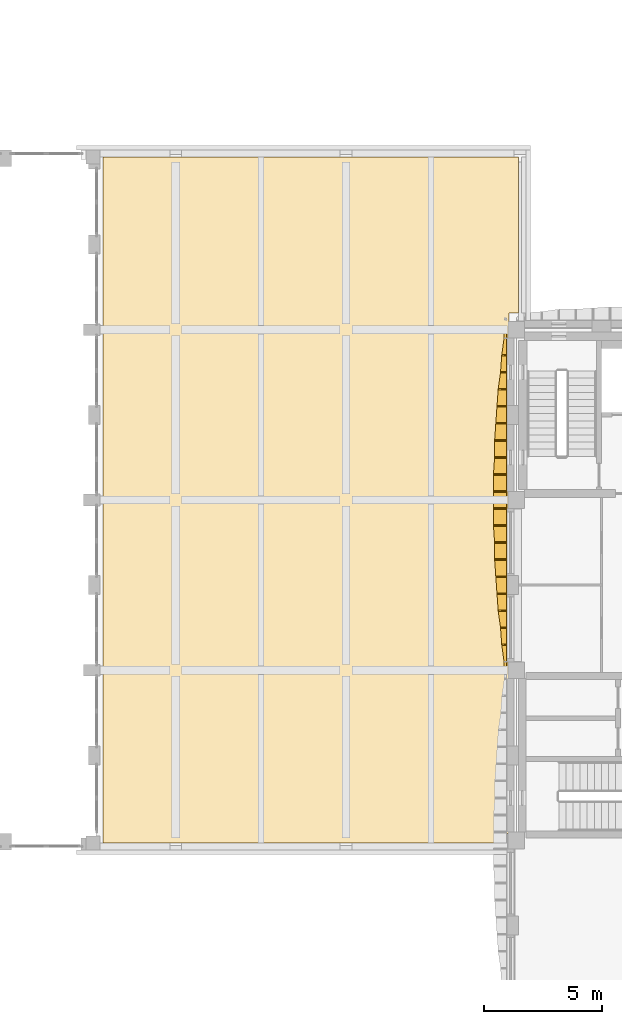
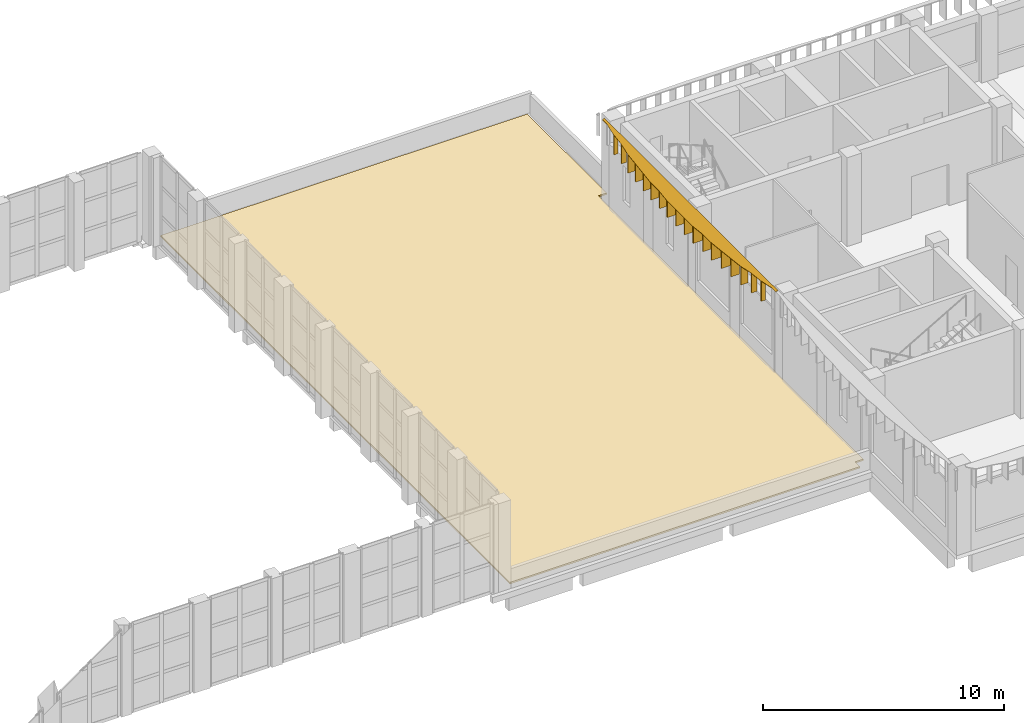
# One storey, part 25 of 44: 19 shading devices, 1 covering.
"""IFC4 building model written with IfcOpenShell, lengths in metres."""

from ifc_helpers import new_model, si_unit, direction, frame, origin, place, context, subcontext, project, spatial, polyline, outline, extrude, material, layer, layer_set, type_object, element, save


model = new_model("IFC4")

# Units and contexts
model_context = context("Model", 3, precision=1e-05, world=origin(), true_north=direction((0.0, 1.0)))
body_context = subcontext(model_context, "Body", "Model", "MODEL_VIEW")
ifc_project = project(units=[si_unit("LENGTHUNIT", "METRE"), si_unit("AREAUNIT", "SQUARE_METRE"), si_unit("VOLUMEUNIT", "CUBIC_METRE"), si_unit("PLANEANGLEUNIT", "RADIAN"), si_unit("MASSUNIT", "GRAM", prefix="KILO")], contexts=[model_context])

# Site, building, storey
site_placement = place(None, origin())
site = spatial("IfcSite", under=ifc_project, at=site_placement, CompositionType="ELEMENT")
building_placement = place(site_placement, origin())
building = spatial("IfcBuilding", under=site, at=building_placement, Name="Ussher Court Research Institute", CompositionType="ELEMENT")
storey_placement = place(building_placement, frame((0.0, 0.0, 18.89990234375)))
storey = spatial("IfcBuildingStorey", under=building, at=storey_placement, Name="L04", CompositionType="ELEMENT", Elevation=18.89990234375)

# Shading devices
ifc_material_1 = material(Name="Bronze anodised aluminium", Category="aluminium")
ifc_layer_1 = layer(ifc_material_1, 0.050048828125)
ifc_layer_set_1 = layer_set([ifc_layer_1], Name="Bronze anodised aluminium")
shading_device_type_1 = type_object("IfcShadingDeviceType", Name="Brim blade 200 mm deep 1100 mm high canted 26 deg wet", PredefinedType="USERDEFINED", material=ifc_layer_set_1)
for number, where, z_axis, x_axis, name in (
    (1, (81.800048828125, 19.47998046875, 3.35009765625), (0.0, 0.0, 1.0), (-1.0, 0.0, 0.0), "Brim blade BS08 L04"),
    (2, (81.800048828125, 31.719970703125, 3.35009765625), (0.0, 0.0, 1.0), (-1.0, 0.0, 0.0), "Brim blade BS08 L04"),
):
    element("IfcShadingDevice", number, at=place(storey_placement, frame(where, z_axis=z_axis, x_axis=x_axis)), inside=storey, type_object=shading_device_type_1, Name=name, ObjectType="BLADE", PredefinedType="USERDEFINED", context=body_context, shape_type="SweptSolid", body=[
        extrude(outline(polyline([(0.0, 0.0), (0.199951171875, 0.0), (0.199951171875, 1.00244140625), (0.0, 1.10009765625), (0.0, 0.0)])), frame((0.0, 0.02490234375, 0.0), z_axis=(0.0, -1.0, 0.0), x_axis=(1.0, 0.0, 0.0)), (0.0, 0.0, 1.0), 0.050048828125),
    ])
ifc_material_2 = material(Name="Bronze anodised aluminium", Category="aluminium")
ifc_layer_2 = layer(ifc_material_2, 0.050048828125)
ifc_layer_set_2 = layer_set([ifc_layer_2], Name="Bronze anodised aluminium")
shading_device_type_2 = type_object("IfcShadingDeviceType", Name="Brim blade 250 mm deep 1100 mm high canted 26 deg wet", PredefinedType="USERDEFINED", material=ifc_layer_set_2)
for number, where, z_axis, x_axis, name in (
    (3, (81.800048828125, 20.199951171875, 3.35009765625), (0.0, 0.0, 1.0), (-1.0, 0.0, 0.0), "Brim blade BS07 L04"),
    (4, (81.800048828125, 31.0, 3.35009765625), (0.0, 0.0, 1.0), (-1.0, 0.0, 0.0), "Brim blade BS07 L04"),
):
    element("IfcShadingDevice", number, at=place(storey_placement, frame(where, z_axis=z_axis, x_axis=x_axis)), inside=storey, type_object=shading_device_type_2, Name=name, ObjectType="BLADE", PredefinedType="USERDEFINED", context=body_context, shape_type="SweptSolid", body=[
        extrude(outline(polyline([(0.0, 0.0), (0.25, 0.0), (0.25, 0.97802734375), (0.0, 1.10009765625), (0.0, 0.0)])), frame((0.0, 0.02490234375, 0.0), z_axis=(0.0, -1.0, 0.0), x_axis=(1.0, 0.0, 0.0)), (0.0, 0.0, 1.0), 0.050048828125),
    ])
ifc_material_3 = material(Name="Bronze anodised aluminium", Category="aluminium")
ifc_layer_3 = layer(ifc_material_3, 0.050048828125)
ifc_layer_set_3 = layer_set([ifc_layer_3], Name="Bronze anodised aluminium")
shading_device_type_3 = type_object("IfcShadingDeviceType", Name="Brim blade 350 mm deep 1100 mm high canted 26 deg wet", PredefinedType="USERDEFINED", material=ifc_layer_set_3)
for number, where, z_axis, x_axis, name in (
    (5, (81.800048828125, 20.919921875, 3.35009765625), (0.0, 0.0, 1.0), (-1.0, 0.0, 0.0), "Brim blade BS05 L04"),
    (6, (81.800048828125, 30.280029296875, 3.35009765625), (0.0, 0.0, 1.0), (-1.0, 0.0, 0.0), "Brim blade BS05 L04"),
):
    element("IfcShadingDevice", number, at=place(storey_placement, frame(where, z_axis=z_axis, x_axis=x_axis)), inside=storey, type_object=shading_device_type_3, Name=name, ObjectType="BLADE", PredefinedType="USERDEFINED", context=body_context, shape_type="SweptSolid", body=[
        extrude(outline(polyline([(0.0, 0.0), (0.35009765625, 0.0), (0.35009765625, 0.92919921875), (0.0, 1.10009765625), (0.0, 0.0)])), frame((0.0, 0.02490234375, 0.0), z_axis=(0.0, -1.0, 0.0), x_axis=(1.0, 0.0, 0.0)), (0.0, 0.0, 1.0), 0.050048828125),
    ])
ifc_material_4 = material(Name="Bronze anodised aluminium", Category="aluminium")
ifc_layer_4 = layer(ifc_material_4, 0.050048828125)
ifc_layer_set_4 = layer_set([ifc_layer_4], Name="Bronze anodised aluminium")
shading_device_type_4 = type_object("IfcShadingDeviceType", Name="Brim blade 400 mm deep 1100 mm high canted 26 deg wet", PredefinedType="USERDEFINED", material=ifc_layer_set_4)
for number, where, z_axis, x_axis, name in (
    (7, (81.800048828125, 21.639892578125, 3.35009765625), (0.0, 0.0, 1.0), (-1.0, 0.0, 0.0), "Brim blade BS04 L04"),
    (8, (81.800048828125, 29.56005859375, 3.35009765625), (0.0, 0.0, 1.0), (-1.0, 0.0, 0.0), "Brim blade BS04 L04"),
):
    element("IfcShadingDevice", number, at=place(storey_placement, frame(where, z_axis=z_axis, x_axis=x_axis)), inside=storey, type_object=shading_device_type_4, Name=name, ObjectType="BLADE", PredefinedType="USERDEFINED", context=body_context, shape_type="SweptSolid", body=[
        extrude(outline(polyline([(0.0, 0.0), (0.400146484375, 0.0), (0.39990234375, 0.90478515625), (0.0, 1.10009765625), (0.0, 0.0)])), frame((0.0, 0.02490234375, 0.0), z_axis=(0.0, -1.0, 0.0), x_axis=(1.0, 0.0, 0.0)), (0.0, 0.0, 1.0), 0.050048828125),
    ])
ifc_material_5 = material(Name="Bronze anodised aluminium", Category="aluminium")
ifc_layer_5 = layer(ifc_material_5, 0.050048828125)
ifc_layer_set_5 = layer_set([ifc_layer_5], Name="Bronze anodised aluminium")
shading_device_type_5 = type_object("IfcShadingDeviceType", Name="Brim blade 450 mm deep 1100 mm high canted 26 deg wet", PredefinedType="USERDEFINED", material=ifc_layer_set_5)
for number, where, z_axis, x_axis, name in (
    (9, (81.800048828125, 22.360107421875, 3.35009765625), (0.0, 0.0, 1.0), (-1.0, 0.0, 0.0), "Brim blade BS03 L04"),
    (10, (81.800048828125, 28.840087890625, 3.35009765625), (0.0, 0.0, 1.0), (-1.0, 0.0, 0.0), "Brim blade BS03 L04"),
):
    element("IfcShadingDevice", number, at=place(storey_placement, frame(where, z_axis=z_axis, x_axis=x_axis)), inside=storey, type_object=shading_device_type_5, Name=name, ObjectType="BLADE", PredefinedType="USERDEFINED", context=body_context, shape_type="SweptSolid", body=[
        extrude(outline(polyline([(0.0, 0.0), (0.449951171875, 0.0), (0.449951171875, 0.880615234375), (0.0, 1.10009765625), (0.0, 0.0)])), frame((0.0, 0.02490234375, 0.0), z_axis=(0.0, -1.0, 0.0), x_axis=(1.0, 0.0, 0.0)), (0.0, 0.0, 1.0), 0.050048828125),
    ])
ifc_material_6 = material(Name="Bronze anodised aluminium", Category="aluminium")
ifc_layer_6 = layer(ifc_material_6, 0.050048828125)
ifc_layer_set_6 = layer_set([ifc_layer_6], Name="Bronze anodised aluminium")
shading_device_type_6 = type_object("IfcShadingDeviceType", Name="Brim blade 500 mm deep 1100 mm high canted 26 deg wet", PredefinedType="USERDEFINED", material=ifc_layer_set_6)
for number, where, z_axis, x_axis, name in (
    (11, (81.800048828125, 23.080078125, 3.35009765625), (0.0, 0.0, 1.0), (-1.0, 0.0, 0.0), "Brim blade BS02 L04"),
    (12, (81.800048828125, 23.800048828125, 3.35009765625), (0.0, 0.0, 1.0), (-1.0, 0.0, 0.0), "Brim blade BS02 L04"),
    (13, (81.800048828125, 27.39990234375, 3.35009765625), (0.0, 0.0, 1.0), (-1.0, 0.0, 0.0), "Brim blade BS02 L04"),
    (14, (81.800048828125, 28.1201171875, 3.35009765625), (0.0, 0.0, 1.0), (-1.0, 0.0, 0.0), "Brim blade BS02 L04"),
):
    element("IfcShadingDevice", number, at=place(storey_placement, frame(where, z_axis=z_axis, x_axis=x_axis)), inside=storey, type_object=shading_device_type_6, Name=name, ObjectType="BLADE", PredefinedType="USERDEFINED", context=body_context, shape_type="SweptSolid", body=[
        extrude(outline(polyline([(0.0, 0.0), (0.5, 0.0), (0.5, 0.856201171875), (0.0, 1.10009765625), (0.0, 0.0)])), frame((0.0, 0.02490234375, 0.0), z_axis=(0.0, -1.0, 0.0), x_axis=(1.0, 0.0, 0.0)), (0.0, 0.0, 1.0), 0.050048828125),
    ])
ifc_material_7 = material(Name="Bronze anodised aluminium", Category="aluminium")
ifc_layer_7 = layer(ifc_material_7, 0.050048828125)
ifc_layer_set_7 = layer_set([ifc_layer_7], Name="Bronze anodised aluminium")
shading_device_type_7 = type_object("IfcShadingDeviceType", Name="Brim blade 550 mm deep 1100 mm high canted 26 deg wet", PredefinedType="USERDEFINED", material=ifc_layer_set_7)
for number, where, z_axis, x_axis, name in (
    (15, (81.800048828125, 24.52001953125, 3.35009765625), (0.0, 0.0, 1.0), (-1.0, 0.0, 0.0), "Brim blade BS01 L04"),
    (16, (81.800048828125, 25.239990234375, 3.35009765625), (0.0, 0.0, 1.0), (-1.0, 0.0, 0.0), "Brim blade BS01 L04"),
    (17, (81.800048828125, 25.9599609375, 3.35009765625), (0.0, 0.0, 1.0), (-1.0, 0.0, 0.0), "Brim blade BS01 L04"),
    (18, (81.800048828125, 26.679931640625, 3.35009765625), (0.0, 0.0, 1.0), (-1.0, 0.0, 0.0), "Brim blade BS01 L04"),
):
    element("IfcShadingDevice", number, at=place(storey_placement, frame(where, z_axis=z_axis, x_axis=x_axis)), inside=storey, type_object=shading_device_type_7, Name=name, ObjectType="BLADE", PredefinedType="USERDEFINED", context=body_context, shape_type="SweptSolid", body=[
        extrude(outline(polyline([(0.0, 0.0), (0.550048828125, 0.0), (0.550048828125, 0.831787109375), (0.0, 1.10009765625), (0.0, 0.0)])), frame((0.0, 0.02490234375, 0.0), z_axis=(0.0, -1.0, 0.0), x_axis=(1.0, 0.0, 0.0)), (0.0, 0.0, 1.0), 0.050048828125),
    ])
ifc_material_8 = material(Name="Bronze anodised aluminium", Category="aluminium")
ifc_layer_8 = layer(ifc_material_8, 0.0400390625)
ifc_layer_set_8 = layer_set([ifc_layer_8], Name="Bronze anodised aluminium")
shading_device_type_8 = type_object("IfcShadingDeviceType", Name="Brim visor sheet 40 mm canted 26 deg wet", PredefinedType="USERDEFINED", material=ifc_layer_set_8)
shading_device_placement = place(storey_placement, frame((81.782470703125, 18.39990234375, 4.486083984375), z_axis=(-0.438529184396, 0.0, 0.898716949007), x_axis=(0.0, 1.0, 0.0)))
element("IfcShadingDevice", 19, at=shading_device_placement, inside=storey, type_object=shading_device_type_8, Name="Brim visor sheet BR1 L04", ObjectType="BRIM", PredefinedType="USERDEFINED", context=body_context, shape_type="SweptSolid", body=[
    extrude(outline(polyline([(0.0, 0.0), (14.400146484375, 0.0), (14.400146484375, 0.11115260474198813), (14.0400390625, 0.11115260474198813), (13.320068359375, 0.22252462280160495), (12.60009765625, 0.27821063183141337), (11.880126953125, 0.3893632365734015), (11.16015625, 0.4449421828140506), (10.440185546875, 0.5006281918438591), (9.72021484375, 0.5563142008736675), (9.0, 0.5563142008736675), (8.280029296875, 0.6120002099034759), (7.56005859375, 0.6120002099034759), (6.840087890625, 0.6120002099034759), (6.1201171875, 0.6120002099034759), (5.400146484375, 0.5563142008736675), (4.68017578125, 0.5563142008736675), (3.960205078125, 0.5006281918438591), (3.239990234375, 0.4449421828140506), (2.52001953125, 0.3893632365734015), (1.800048828125, 0.27821063183141337), (1.080078125, 0.22252462280160495), (0.360107421875, 0.11115260474198813), (0.0, 0.11115260474198813), (0.0, 0.0)])), origin(), (0.0, 0.0, -1.0), 0.0400390625),
])

# Covering
ifc_material_9 = material(Name="Bituminous membrane with gravel ballast")
ifc_layer_9 = layer(ifc_material_9, 0.080078125)
ifc_layer_set_9 = layer_set([ifc_layer_9], Name="Bituminous membrane with gravel ballast")
covering_type = type_object("IfcCoveringType", Name="Flat roof membrane and ballast 80", PredefinedType="ROOFING", material=ifc_layer_set_9)
covering_placement = place(storey_placement, origin())
element("IfcCovering", 20, at=covering_placement, inside=storey, type_object=covering_type, Name="Roof covering RC3 V7", PredefinedType="ROOFING", context=body_context, shape_type="SweptSolid", body=[
    extrude(outline(polyline([(64.72509765625, 11.10009765625), (64.72509765625, 40.10009765625), (82.300048828125, 40.10009765625), (82.300048828125, 33.5), (81.89990234375, 33.5), (81.89990234375, 11.5), (81.5, 11.5), (81.5, 11.10009765625), (64.72509765625, 11.10009765625)])), origin(), (0.0, 0.0, 1.0), 0.080078125),
])

save(model, "model.ifc")
